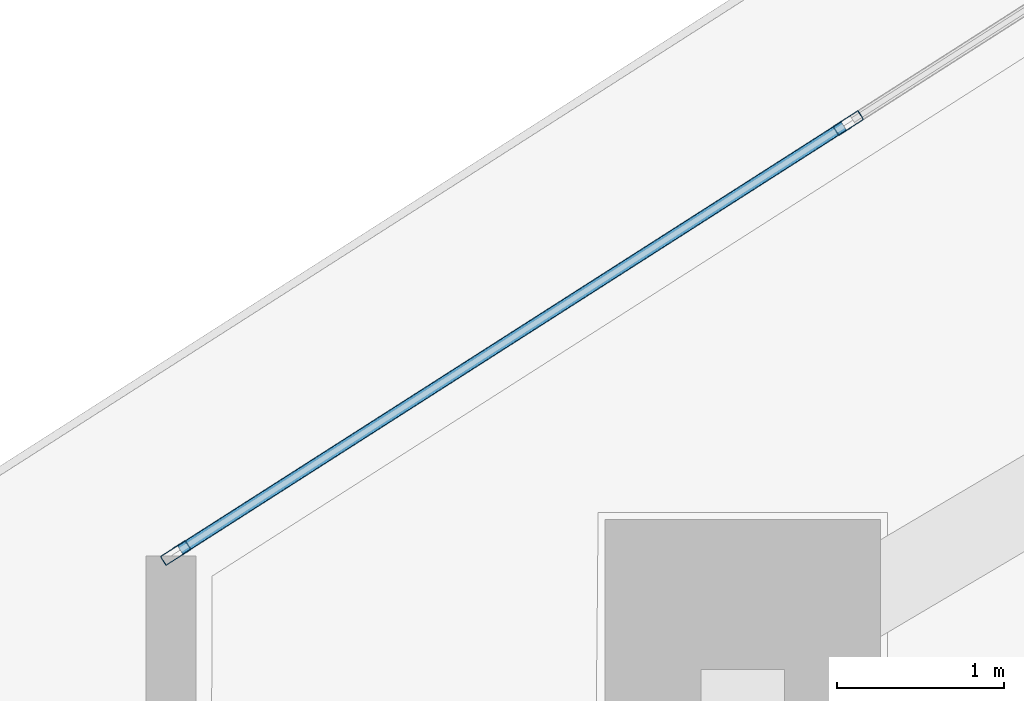
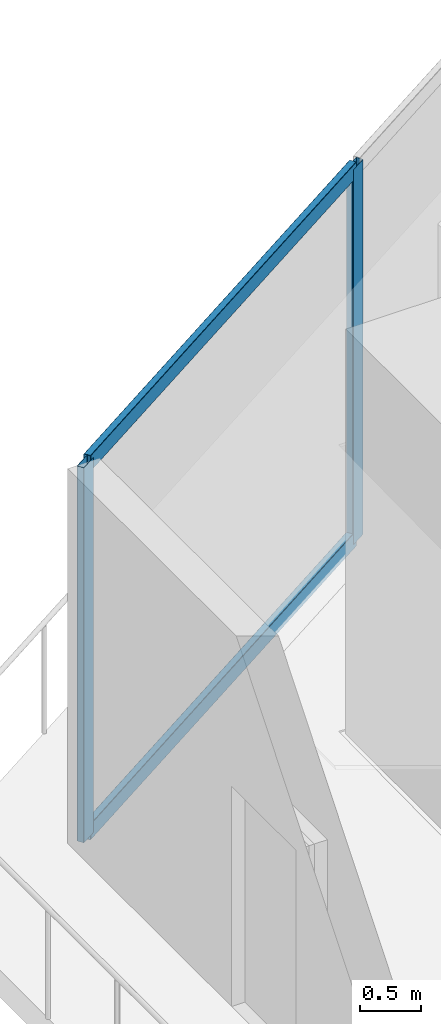
# One storey, part 8 of 34: 4 members, 1 element without a shape of its own.
"""IFC4 building model written with IfcOpenShell, lengths in metres."""

from ifc_helpers import new_model, si_unit, direction, frame, origin, origin_2d, place, context, subcontext, project, spatial, hollow_rectangle, extrude, material, layer, layer_set, material_profile, profile_set, type_object, element, aggregate, save


model = new_model("IFC4")

# Units and contexts
model_context = context("Model", 3, precision=1e-05, world=origin(), true_north=direction((0.0, 1.0)))
body_context = subcontext(model_context, "Body", "Model", "MODEL_VIEW")
ifc_project = project(units=[si_unit("LENGTHUNIT", "METRE"), si_unit("AREAUNIT", "SQUARE_METRE"), si_unit("VOLUMEUNIT", "CUBIC_METRE"), si_unit("PLANEANGLEUNIT", "RADIAN"), si_unit("MASSUNIT", "GRAM", prefix="KILO")], contexts=[model_context])

# Site, building, storey
site_placement = place(None, origin())
site = spatial("IfcSite", under=ifc_project, at=site_placement, CompositionType="ELEMENT")
building_placement = place(site_placement, origin())
building = spatial("IfcBuilding", under=site, at=building_placement, Name="Qorvath Tower", CompositionType="ELEMENT")
storey_placement = place(building_placement, frame((0.0, 0.0, 245.550048828125)))
storey = spatial("IfcBuildingStorey", under=building, at=storey_placement, Name="L57", CompositionType="ELEMENT", Elevation=245.550048828125)

# Curtain wall, members
ifc_material_1 = material(Name="Anodised aluminium and triple low-E glass", Category="aluminium")
ifc_layer = layer(ifc_material_1, 0.179931640625)
ifc_layer_set = layer_set([ifc_layer], Name="CW-SYS-3")
curtain_wall_type = type_object("IfcCurtainWallType", Name="CW-SYS-3", PredefinedType="NOTDEFINED", material=ifc_layer_set)
curtain_wall_placement = place(storey_placement, origin())
curtain_wall = element("IfcCurtainWall", 1, at=curtain_wall_placement, inside=storey, type_object=curtain_wall_type, Name="Curtain Wall CW-3 CW-T-L57-16.3", PredefinedType="NOTDEFINED")
ifc_material_2 = material(Name="Anodised aluminium 6063-T6", Category="aluminium")
ifc_material_profile_1 = material_profile(ifc_material_2, hollow_rectangle(XDim=0.06494140625, YDim=0.179931640625, WallThickness=0.00341796875, InnerFilletRadius=0.00341796875, OuterFilletRadius=0.007080078125, at=origin_2d()), Name="CWM 180x65")
ifc_profile_set_1 = profile_set([ifc_material_profile_1], Name="Anodised aluminium 6063-T6")
member_type_1 = type_object("IfcMemberType", Name="CWM-180", PredefinedType="MULLION", material=ifc_profile_set_1)
member_1_placement = place(storey_placement, frame((-48.53857421875, 5.806884765625, 0.0), z_axis=(0.0, 0.0, 1.0), x_axis=(0.538526839039, -0.842608357207, 0.0)))
member_1 = element("IfcMember", 2, at=member_1_placement, type_object=member_type_1, Name="CW-3 mullion 4", PredefinedType="MULLION", context=body_context, shape_type="SweptSolid", body=[
    extrude(hollow_rectangle(XDim=0.06494140625, YDim=0.179931640625, WallThickness=0.00341796875, InnerFilletRadius=0.00341796875, OuterFilletRadius=0.007080078125, at=origin_2d()), origin(), (0.0, 0.0, 1.0), 3.75),
])
member_2_placement = place(storey_placement, frame((-52.57373046875, 3.227783203125, 0.0), z_axis=(0.0, 0.0, 1.0), x_axis=(0.538526839039, -0.842608357207, 0.0)))
member_2 = element("IfcMember", 3, at=member_2_placement, type_object=member_type_1, Name="CW-3 mullion 5", PredefinedType="MULLION", context=body_context, shape_type="SweptSolid", body=[
    extrude(hollow_rectangle(XDim=0.06494140625, YDim=0.179931640625, WallThickness=0.00341796875, InnerFilletRadius=0.00341796875, OuterFilletRadius=0.007080078125, at=origin_2d()), origin(), (0.0, 0.0, 1.0), 3.75),
])
ifc_material_3 = material(Name="Anodised aluminium 6063-T6", Category="aluminium")
ifc_material_profile_2 = material_profile(ifc_material_3, hollow_rectangle(XDim=0.06494140625, YDim=0.159912109375, WallThickness=0.00341796875, InnerFilletRadius=0.00341796875, OuterFilletRadius=0.007080078125, at=origin_2d()), Name="CWT 160x65")
ifc_profile_set_2 = profile_set([ifc_material_profile_2], Name="Anodised aluminium 6063-T6")
member_type_2 = type_object("IfcMemberType", Name="CWT-160", PredefinedType="USERDEFINED", material=ifc_profile_set_2)
member_3_placement = place(storey_placement, frame((-48.56591796875, 5.789306640625, 0.032470703125), z_axis=(-0.842612879889, -0.538519762539, 0.0), x_axis=(0.538519762539, -0.842612879889, 0.0)))
member_3 = element("IfcMember", 4, at=member_3_placement, type_object=member_type_2, Name="CW-3 transom 4.1", ObjectType="TRANSOM", PredefinedType="USERDEFINED", context=body_context, shape_type="SweptSolid", body=[
    extrude(hollow_rectangle(XDim=0.06494140625, YDim=0.159912109375, WallThickness=0.00341796875, InnerFilletRadius=0.00341796875, OuterFilletRadius=0.007080078125, at=origin_2d()), origin(), (0.0, 0.0, 1.0), 4.723876953125),
])
member_4_placement = place(storey_placement, frame((-48.56591796875, 5.789306640625, 3.717529296875), z_axis=(-0.842612879889, -0.538519762539, 0.0), x_axis=(0.538519762539, -0.842612879889, 0.0)))
member_4 = element("IfcMember", 5, at=member_4_placement, type_object=member_type_2, Name="CW-3 transom 4.2", ObjectType="TRANSOM", PredefinedType="USERDEFINED", context=body_context, shape_type="SweptSolid", body=[
    extrude(hollow_rectangle(XDim=0.06494140625, YDim=0.159912109375, WallThickness=0.00341796875, InnerFilletRadius=0.00341796875, OuterFilletRadius=0.007080078125, at=origin_2d()), origin(), (0.0, 0.0, 1.0), 4.723876953125),
])
aggregate(curtain_wall, [member_1, member_2, member_3, member_4])

save(model, "model.ifc")
